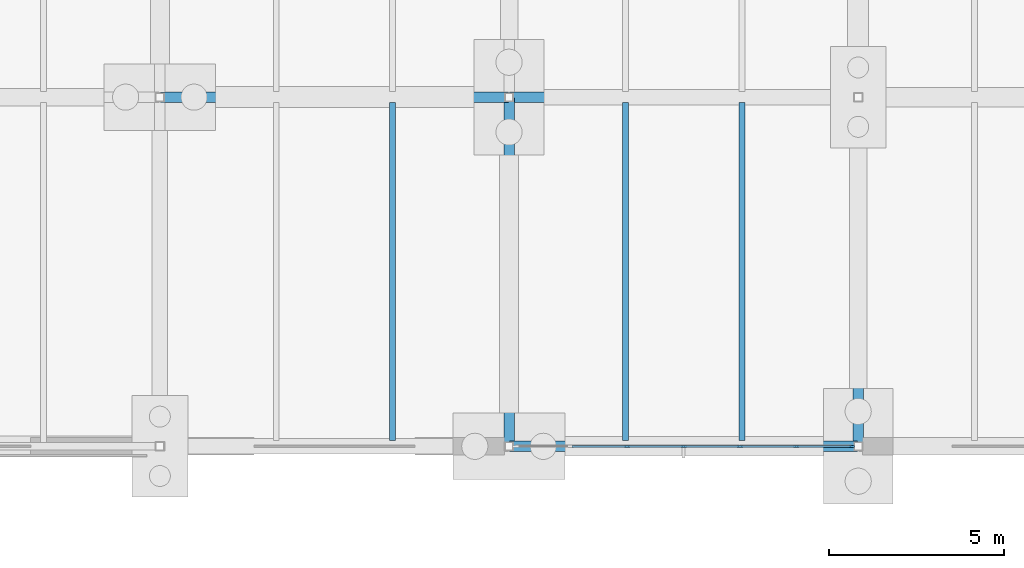
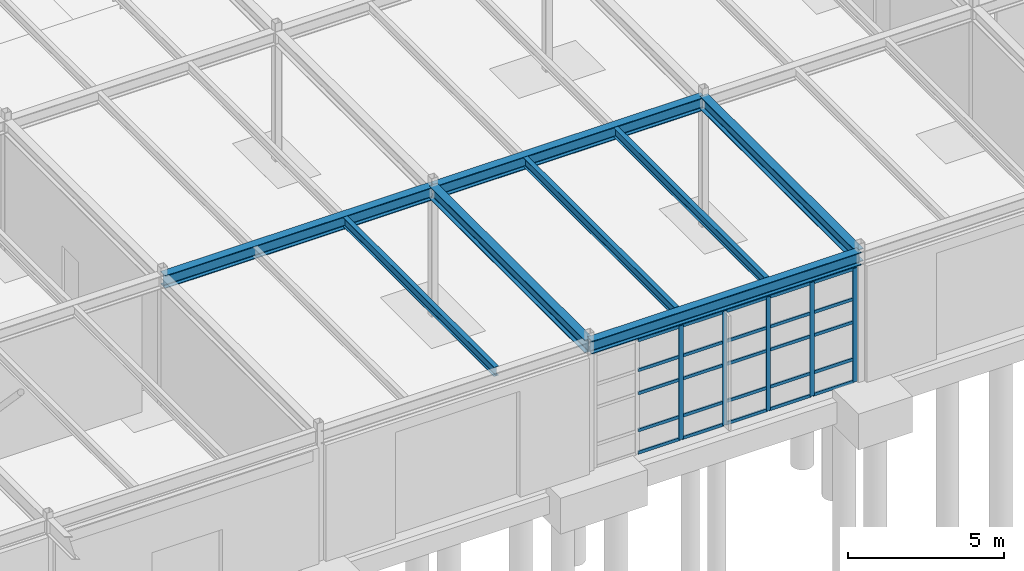
# One storey, part 43 of 145: 30 members, 8 beams, 1 element without a shape of its own.
"""IFC4 building model written with IfcOpenShell, lengths in metres."""

from ifc_helpers import new_model, si_unit, direction, frame, origin, origin_2d, place, context, subcontext, project, spatial, rectangle, i_section, extrude, material, layer, layer_set, material_profile, profile_set, type_object, element, aggregate, save


model = new_model("IFC4")

# Units and contexts
model_context = context("Model", 3, precision=1e-05, world=origin(), true_north=direction((0.0, 1.0)))
body_context = subcontext(model_context, "Body", "Model", "MODEL_VIEW")
ifc_project = project(units=[si_unit("LENGTHUNIT", "METRE"), si_unit("AREAUNIT", "SQUARE_METRE"), si_unit("VOLUMEUNIT", "CUBIC_METRE"), si_unit("PLANEANGLEUNIT", "RADIAN"), si_unit("MASSUNIT", "GRAM", prefix="KILO"), si_unit("THERMODYNAMICTEMPERATUREUNIT", "KELVIN"), si_unit("POWERUNIT", "WATT")], contexts=[model_context])

# Site, building, storey
site_placement = place(None, origin())
site = spatial("IfcSite", under=ifc_project, at=site_placement, CompositionType="ELEMENT")
building_placement = place(site_placement, origin())
building = spatial("IfcBuilding", under=site, at=building_placement, Name="Korenveer Ferry Terminal", CompositionType="ELEMENT")
storey_placement = place(building_placement, origin())
storey = spatial("IfcBuildingStorey", under=building, at=storey_placement, Name="L00", CompositionType="ELEMENT", Elevation=0.0)

# Curtain wall, members
ifc_material_1 = material(Name="Unitised bronze-and-glass curtain wall", Category="glass")
ifc_layer = layer(ifc_material_1, 0.159912109375)
ifc_layer_set = layer_set([ifc_layer], Name="Unitised bronze-and-glass curtain wall")
curtain_wall_type = type_object("IfcCurtainWallType", Name="ENV-CW-02", PredefinedType="USERDEFINED", material=ifc_layer_set)
curtain_wall_placement = place(storey_placement, frame((83.155029296875, 20.0, 0.0)))
curtain_wall = element("IfcCurtainWall", 1, at=curtain_wall_placement, inside=storey, type_object=curtain_wall_type, Name="Lancet curtain wall CWX-L00-X83-93-Y20-20", ObjectType="UNITISED CURTAIN WALL", PredefinedType="USERDEFINED")
ifc_material_2 = material(Name="Anodised bronze aluminium", Category="aluminium")
ifc_material_profile_1 = material_profile(ifc_material_2, rectangle(XDim=0.06005859375, YDim=0.159912109375, at=origin_2d()), Name="ALU 60x160")
ifc_profile_set_1 = profile_set([ifc_material_profile_1], Name="Anodised bronze aluminium")
member_type_1 = type_object("IfcMemberType", Name="ENV-CWM-60X160", PredefinedType="MULLION", material=ifc_profile_set_1)
member_1_placement = place(storey_placement, frame((86.385009765625, 20.0, 0.0), z_axis=(0.0, 0.0, 1.0), x_axis=(0.0, 1.0, 0.0)))
member_1 = element("IfcMember", 2, at=member_1_placement, type_object=member_type_1, Name="CW-02 mullion 3", PredefinedType="MULLION", context=body_context, shape_type="SweptSolid", body=[
    extrude(rectangle(XDim=0.06005859375, YDim=0.159912109375, at=origin_2d()), origin(), (0.0, 0.0, 1.0), 4.449951171875),
])
member_2_placement = place(storey_placement, frame((88.0, 20.0, 0.0), z_axis=(0.0, 0.0, 1.0), x_axis=(0.0, 1.0, 0.0)))
member_2 = element("IfcMember", 3, at=member_2_placement, type_object=member_type_1, Name="CW-02 mullion 4", PredefinedType="MULLION", context=body_context, shape_type="SweptSolid", body=[
    extrude(rectangle(XDim=0.06005859375, YDim=0.159912109375, at=origin_2d()), origin(), (0.0, 0.0, 1.0), 4.449951171875),
])
member_3_placement = place(storey_placement, frame((89.614990234375, 20.0, 0.0), z_axis=(0.0, 0.0, 1.0), x_axis=(0.0, 1.0, 0.0)))
member_3 = element("IfcMember", 4, at=member_3_placement, type_object=member_type_1, Name="CW-02 mullion 5", PredefinedType="MULLION", context=body_context, shape_type="SweptSolid", body=[
    extrude(rectangle(XDim=0.06005859375, YDim=0.159912109375, at=origin_2d()), origin(), (0.0, 0.0, 1.0), 4.449951171875),
])
member_4_placement = place(storey_placement, frame((91.22998046875, 20.0, 0.0), z_axis=(0.0, 0.0, 1.0), x_axis=(0.0, 1.0, 0.0)))
member_4 = element("IfcMember", 5, at=member_4_placement, type_object=member_type_1, Name="CW-02 mullion 6", PredefinedType="MULLION", context=body_context, shape_type="SweptSolid", body=[
    extrude(rectangle(XDim=0.06005859375, YDim=0.159912109375, at=origin_2d()), origin(), (0.0, 0.0, 1.0), 4.449951171875),
])
member_5_placement = place(storey_placement, frame((92.81494140625, 20.0, 0.0), z_axis=(0.0, 0.0, 1.0), x_axis=(0.0, 1.0, 0.0)))
member_5 = element("IfcMember", 6, at=member_5_placement, type_object=member_type_1, Name="CW-02 mullion 7", PredefinedType="MULLION", context=body_context, shape_type="SweptSolid", body=[
    extrude(rectangle(XDim=0.06005859375, YDim=0.159912109375, at=origin_2d()), origin(), (0.0, 0.0, 1.0), 4.449951171875),
])
ifc_material_profile_2 = material_profile(ifc_material_2, rectangle(XDim=0.06005859375, YDim=0.1201171875, at=origin_2d()), Name="ALU 60x120")
ifc_profile_set_2 = profile_set([ifc_material_profile_2], Name="Anodised bronze aluminium")
member_type_2 = type_object("IfcMemberType", Name="ENV-CWT-60X120", PredefinedType="USERDEFINED", material=ifc_profile_set_2)
member_6_placement = place(storey_placement, frame((84.800048828125, 20.0, 0.030029296875), z_axis=(1.0, 0.0, 0.0), x_axis=(0.0, 1.0, 0.0)))
member_6 = element("IfcMember", 7, at=member_6_placement, type_object=member_type_2, Name="CW-02 transom 2.1", ObjectType="TRANSOM", PredefinedType="USERDEFINED", context=body_context, shape_type="SweptSolid", body=[
    extrude(rectangle(XDim=0.06005859375, YDim=0.1201171875, at=origin_2d()), origin(), (0.0, 0.0, 1.0), 1.554931640625),
])
member_7_placement = place(storey_placement, frame((84.800048828125, 20.0, 0.89990234375), z_axis=(1.0, 0.0, 0.0), x_axis=(0.0, 1.0, 0.0)))
member_7 = element("IfcMember", 8, at=member_7_placement, type_object=member_type_2, Name="CW-02 transom 2.2", ObjectType="TRANSOM", PredefinedType="USERDEFINED", context=body_context, shape_type="SweptSolid", body=[
    extrude(rectangle(XDim=0.06005859375, YDim=0.1201171875, at=origin_2d()), origin(), (0.0, 0.0, 1.0), 1.554931640625),
])
member_8_placement = place(storey_placement, frame((84.800048828125, 20.0, 2.35009765625), z_axis=(1.0, 0.0, 0.0), x_axis=(0.0, 1.0, 0.0)))
member_8 = element("IfcMember", 9, at=member_8_placement, type_object=member_type_2, Name="CW-02 transom 2.3", ObjectType="TRANSOM", PredefinedType="USERDEFINED", context=body_context, shape_type="SweptSolid", body=[
    extrude(rectangle(XDim=0.06005859375, YDim=0.1201171875, at=origin_2d()), origin(), (0.0, 0.0, 1.0), 1.554931640625),
])
member_9_placement = place(storey_placement, frame((84.800048828125, 20.0, 3.25), z_axis=(1.0, 0.0, 0.0), x_axis=(0.0, 1.0, 0.0)))
member_9 = element("IfcMember", 10, at=member_9_placement, type_object=member_type_2, Name="CW-02 transom 2.4", ObjectType="TRANSOM", PredefinedType="USERDEFINED", context=body_context, shape_type="SweptSolid", body=[
    extrude(rectangle(XDim=0.06005859375, YDim=0.1201171875, at=origin_2d()), origin(), (0.0, 0.0, 1.0), 1.554931640625),
])
member_10_placement = place(storey_placement, frame((84.800048828125, 20.0, 4.419921875), z_axis=(1.0, 0.0, 0.0), x_axis=(0.0, 1.0, 0.0)))
member_10 = element("IfcMember", 11, at=member_10_placement, type_object=member_type_2, Name="CW-02 transom 2.5", ObjectType="TRANSOM", PredefinedType="USERDEFINED", context=body_context, shape_type="SweptSolid", body=[
    extrude(rectangle(XDim=0.06005859375, YDim=0.1201171875, at=origin_2d()), origin(), (0.0, 0.0, 1.0), 1.554931640625),
])
member_11_placement = place(storey_placement, frame((86.4150390625, 20.0, 0.030029296875), z_axis=(1.0, 0.0, 0.0), x_axis=(0.0, 1.0, 0.0)))
member_11 = element("IfcMember", 12, at=member_11_placement, type_object=member_type_2, Name="CW-02 transom 3.1", ObjectType="TRANSOM", PredefinedType="USERDEFINED", context=body_context, shape_type="SweptSolid", body=[
    extrude(rectangle(XDim=0.06005859375, YDim=0.1201171875, at=origin_2d()), origin(), (0.0, 0.0, 1.0), 1.554931640625),
])
member_12_placement = place(storey_placement, frame((86.4150390625, 20.0, 0.89990234375), z_axis=(1.0, 0.0, 0.0), x_axis=(0.0, 1.0, 0.0)))
member_12 = element("IfcMember", 13, at=member_12_placement, type_object=member_type_2, Name="CW-02 transom 3.2", ObjectType="TRANSOM", PredefinedType="USERDEFINED", context=body_context, shape_type="SweptSolid", body=[
    extrude(rectangle(XDim=0.06005859375, YDim=0.1201171875, at=origin_2d()), origin(), (0.0, 0.0, 1.0), 1.554931640625),
])
member_13_placement = place(storey_placement, frame((86.4150390625, 20.0, 2.35009765625), z_axis=(1.0, 0.0, 0.0), x_axis=(0.0, 1.0, 0.0)))
member_13 = element("IfcMember", 14, at=member_13_placement, type_object=member_type_2, Name="CW-02 transom 3.3", ObjectType="TRANSOM", PredefinedType="USERDEFINED", context=body_context, shape_type="SweptSolid", body=[
    extrude(rectangle(XDim=0.06005859375, YDim=0.1201171875, at=origin_2d()), origin(), (0.0, 0.0, 1.0), 1.554931640625),
])
member_14_placement = place(storey_placement, frame((86.4150390625, 20.0, 3.25), z_axis=(1.0, 0.0, 0.0), x_axis=(0.0, 1.0, 0.0)))
member_14 = element("IfcMember", 15, at=member_14_placement, type_object=member_type_2, Name="CW-02 transom 3.4", ObjectType="TRANSOM", PredefinedType="USERDEFINED", context=body_context, shape_type="SweptSolid", body=[
    extrude(rectangle(XDim=0.06005859375, YDim=0.1201171875, at=origin_2d()), origin(), (0.0, 0.0, 1.0), 1.554931640625),
])
member_15_placement = place(storey_placement, frame((86.4150390625, 20.0, 4.419921875), z_axis=(1.0, 0.0, 0.0), x_axis=(0.0, 1.0, 0.0)))
member_15 = element("IfcMember", 16, at=member_15_placement, type_object=member_type_2, Name="CW-02 transom 3.5", ObjectType="TRANSOM", PredefinedType="USERDEFINED", context=body_context, shape_type="SweptSolid", body=[
    extrude(rectangle(XDim=0.06005859375, YDim=0.1201171875, at=origin_2d()), origin(), (0.0, 0.0, 1.0), 1.554931640625),
])
member_16_placement = place(storey_placement, frame((88.030029296875, 20.0, 0.030029296875), z_axis=(1.0, 0.0, 0.0), x_axis=(0.0, 1.0, 0.0)))
member_16 = element("IfcMember", 17, at=member_16_placement, type_object=member_type_2, Name="CW-02 transom 4.1", ObjectType="TRANSOM", PredefinedType="USERDEFINED", context=body_context, shape_type="SweptSolid", body=[
    extrude(rectangle(XDim=0.06005859375, YDim=0.1201171875, at=origin_2d()), origin(), (0.0, 0.0, 1.0), 1.554931640625),
])
member_17_placement = place(storey_placement, frame((88.030029296875, 20.0, 0.89990234375), z_axis=(1.0, 0.0, 0.0), x_axis=(0.0, 1.0, 0.0)))
member_17 = element("IfcMember", 18, at=member_17_placement, type_object=member_type_2, Name="CW-02 transom 4.2", ObjectType="TRANSOM", PredefinedType="USERDEFINED", context=body_context, shape_type="SweptSolid", body=[
    extrude(rectangle(XDim=0.06005859375, YDim=0.1201171875, at=origin_2d()), origin(), (0.0, 0.0, 1.0), 1.554931640625),
])
member_18_placement = place(storey_placement, frame((88.030029296875, 20.0, 2.35009765625), z_axis=(1.0, 0.0, 0.0), x_axis=(0.0, 1.0, 0.0)))
member_18 = element("IfcMember", 19, at=member_18_placement, type_object=member_type_2, Name="CW-02 transom 4.3", ObjectType="TRANSOM", PredefinedType="USERDEFINED", context=body_context, shape_type="SweptSolid", body=[
    extrude(rectangle(XDim=0.06005859375, YDim=0.1201171875, at=origin_2d()), origin(), (0.0, 0.0, 1.0), 1.554931640625),
])
member_19_placement = place(storey_placement, frame((88.030029296875, 20.0, 3.25), z_axis=(1.0, 0.0, 0.0), x_axis=(0.0, 1.0, 0.0)))
member_19 = element("IfcMember", 20, at=member_19_placement, type_object=member_type_2, Name="CW-02 transom 4.4", ObjectType="TRANSOM", PredefinedType="USERDEFINED", context=body_context, shape_type="SweptSolid", body=[
    extrude(rectangle(XDim=0.06005859375, YDim=0.1201171875, at=origin_2d()), origin(), (0.0, 0.0, 1.0), 1.554931640625),
])
member_20_placement = place(storey_placement, frame((88.030029296875, 20.0, 4.419921875), z_axis=(1.0, 0.0, 0.0), x_axis=(0.0, 1.0, 0.0)))
member_20 = element("IfcMember", 21, at=member_20_placement, type_object=member_type_2, Name="CW-02 transom 4.5", ObjectType="TRANSOM", PredefinedType="USERDEFINED", context=body_context, shape_type="SweptSolid", body=[
    extrude(rectangle(XDim=0.06005859375, YDim=0.1201171875, at=origin_2d()), origin(), (0.0, 0.0, 1.0), 1.554931640625),
])
member_21_placement = place(storey_placement, frame((89.64501953125, 20.0, 0.030029296875), z_axis=(1.0, 0.0, 0.0), x_axis=(0.0, 1.0, 0.0)))
member_21 = element("IfcMember", 22, at=member_21_placement, type_object=member_type_2, Name="CW-02 transom 5.1", ObjectType="TRANSOM", PredefinedType="USERDEFINED", context=body_context, shape_type="SweptSolid", body=[
    extrude(rectangle(XDim=0.06005859375, YDim=0.1201171875, at=origin_2d()), origin(), (0.0, 0.0, 1.0), 1.554931640625),
])
member_22_placement = place(storey_placement, frame((89.64501953125, 20.0, 0.89990234375), z_axis=(1.0, 0.0, 0.0), x_axis=(0.0, 1.0, 0.0)))
member_22 = element("IfcMember", 23, at=member_22_placement, type_object=member_type_2, Name="CW-02 transom 5.2", ObjectType="TRANSOM", PredefinedType="USERDEFINED", context=body_context, shape_type="SweptSolid", body=[
    extrude(rectangle(XDim=0.06005859375, YDim=0.1201171875, at=origin_2d()), origin(), (0.0, 0.0, 1.0), 1.554931640625),
])
member_23_placement = place(storey_placement, frame((89.64501953125, 20.0, 2.35009765625), z_axis=(1.0, 0.0, 0.0), x_axis=(0.0, 1.0, 0.0)))
member_23 = element("IfcMember", 24, at=member_23_placement, type_object=member_type_2, Name="CW-02 transom 5.3", ObjectType="TRANSOM", PredefinedType="USERDEFINED", context=body_context, shape_type="SweptSolid", body=[
    extrude(rectangle(XDim=0.06005859375, YDim=0.1201171875, at=origin_2d()), origin(), (0.0, 0.0, 1.0), 1.554931640625),
])
member_24_placement = place(storey_placement, frame((89.64501953125, 20.0, 3.25), z_axis=(1.0, 0.0, 0.0), x_axis=(0.0, 1.0, 0.0)))
member_24 = element("IfcMember", 25, at=member_24_placement, type_object=member_type_2, Name="CW-02 transom 5.4", ObjectType="TRANSOM", PredefinedType="USERDEFINED", context=body_context, shape_type="SweptSolid", body=[
    extrude(rectangle(XDim=0.06005859375, YDim=0.1201171875, at=origin_2d()), origin(), (0.0, 0.0, 1.0), 1.554931640625),
])
member_25_placement = place(storey_placement, frame((89.64501953125, 20.0, 4.419921875), z_axis=(1.0, 0.0, 0.0), x_axis=(0.0, 1.0, 0.0)))
member_25 = element("IfcMember", 26, at=member_25_placement, type_object=member_type_2, Name="CW-02 transom 5.5", ObjectType="TRANSOM", PredefinedType="USERDEFINED", context=body_context, shape_type="SweptSolid", body=[
    extrude(rectangle(XDim=0.06005859375, YDim=0.1201171875, at=origin_2d()), origin(), (0.0, 0.0, 1.0), 1.554931640625),
])
member_26_placement = place(storey_placement, frame((91.260009765625, 20.0, 0.030029296875), z_axis=(1.0, 0.0, 0.0), x_axis=(0.0, 1.0, 0.0)))
member_26 = element("IfcMember", 27, at=member_26_placement, type_object=member_type_2, Name="CW-02 transom 6.1", ObjectType="TRANSOM", PredefinedType="USERDEFINED", context=body_context, shape_type="SweptSolid", body=[
    extrude(rectangle(XDim=0.06005859375, YDim=0.1201171875, at=origin_2d()), origin(), (0.0, 0.0, 1.0), 1.52490234375),
])
member_27_placement = place(storey_placement, frame((91.260009765625, 20.0, 0.89990234375), z_axis=(1.0, 0.0, 0.0), x_axis=(0.0, 1.0, 0.0)))
member_27 = element("IfcMember", 28, at=member_27_placement, type_object=member_type_2, Name="CW-02 transom 6.2", ObjectType="TRANSOM", PredefinedType="USERDEFINED", context=body_context, shape_type="SweptSolid", body=[
    extrude(rectangle(XDim=0.06005859375, YDim=0.1201171875, at=origin_2d()), origin(), (0.0, 0.0, 1.0), 1.52490234375),
])
member_28_placement = place(storey_placement, frame((91.260009765625, 20.0, 2.35009765625), z_axis=(1.0, 0.0, 0.0), x_axis=(0.0, 1.0, 0.0)))
member_28 = element("IfcMember", 29, at=member_28_placement, type_object=member_type_2, Name="CW-02 transom 6.3", ObjectType="TRANSOM", PredefinedType="USERDEFINED", context=body_context, shape_type="SweptSolid", body=[
    extrude(rectangle(XDim=0.06005859375, YDim=0.1201171875, at=origin_2d()), origin(), (0.0, 0.0, 1.0), 1.52490234375),
])
member_29_placement = place(storey_placement, frame((91.260009765625, 20.0, 3.25), z_axis=(1.0, 0.0, 0.0), x_axis=(0.0, 1.0, 0.0)))
member_29 = element("IfcMember", 30, at=member_29_placement, type_object=member_type_2, Name="CW-02 transom 6.4", ObjectType="TRANSOM", PredefinedType="USERDEFINED", context=body_context, shape_type="SweptSolid", body=[
    extrude(rectangle(XDim=0.06005859375, YDim=0.1201171875, at=origin_2d()), origin(), (0.0, 0.0, 1.0), 1.52490234375),
])
member_30_placement = place(storey_placement, frame((91.260009765625, 20.0, 4.419921875), z_axis=(1.0, 0.0, 0.0), x_axis=(0.0, 1.0, 0.0)))
member_30 = element("IfcMember", 31, at=member_30_placement, type_object=member_type_2, Name="CW-02 transom 6.5", ObjectType="TRANSOM", PredefinedType="USERDEFINED", context=body_context, shape_type="SweptSolid", body=[
    extrude(rectangle(XDim=0.06005859375, YDim=0.1201171875, at=origin_2d()), origin(), (0.0, 0.0, 1.0), 1.52490234375),
])
aggregate(curtain_wall, [member_1, member_2, member_3, member_4, member_5, member_6, member_7, member_8, member_9, member_10, member_11, member_12, member_13, member_14, member_15, member_16, member_17, member_18, member_19, member_20, member_21, member_22, member_23, member_24, member_25, member_26, member_27, member_28, member_29, member_30])

# Beams
ifc_material_3 = material(Name="Steel S355", Category="steel")
ifc_material_profile_3 = material_profile(ifc_material_3, i_section(OverallWidth=0.300048828125, OverallDepth=0.5, WebThickness=0.014404296875, FlangeThickness=0.028076171875, FilletRadius=0.027099609375, at=origin_2d()), Name="HEB 500")
ifc_profile_set_3 = profile_set([ifc_material_profile_3], Name="Steel S355")
beam_type_1 = type_object("IfcBeamType", Name="STR-BM-HEB500", PredefinedType="BEAM", material=ifc_profile_set_3)
for number, where, z_axis, x_axis, name in (
    (32, (83.02001953125, 20.0, 4.830078125), (1.0, 0.0, 0.0), (0.0, 1.0, 0.0), "Primary X girder BMX-L01-X83-93-Y20"),
    (33, (73.02001953125, 30.0, 4.830078125), (1.0, 0.0, 0.0), (0.0, 1.0, 0.0), "Primary X girder BMX-L01-X73-83-Y30"),
    (34, (83.02001953125, 30.0, 4.830078125), (1.0, 0.0, 0.0), (0.0, 1.0, 0.0), "Primary X girder BMX-L01-X83-93-Y30"),
    (35, (83.0, 20.02001953125, 4.830078125), (0.0, 1.0, 0.0), (-1.0, 0.0, 0.0), "Primary Y girder BMY-L01-X83-Y20-30"),
    (36, (93.0, 20.02001953125, 4.830078125), (0.0, 1.0, 0.0), (-1.0, 0.0, 0.0), "Primary Y girder BMY-L01-X93-Y20-30"),
):
    element("IfcBeam", number, at=place(storey_placement, frame(where, z_axis=z_axis, x_axis=x_axis)), inside=storey, type_object=beam_type_1, Name=name, PredefinedType="BEAM", context=body_context, shape_type="SweptSolid", body=[
        extrude(i_section(OverallWidth=0.300048828125, OverallDepth=0.5, WebThickness=0.014404296875, FlangeThickness=0.028076171875, FilletRadius=0.027099609375, at=origin_2d()), origin(), (0.0, 0.0, 1.0), 9.9599609375),
    ])
ifc_material_profile_4 = material_profile(ifc_material_3, i_section(OverallWidth=0.169921875, OverallDepth=0.360107421875, WebThickness=0.008056640625, FlangeThickness=0.0126953125, FilletRadius=0.01806640625, at=origin_2d()), Name="IPE 360")
ifc_profile_set_4 = profile_set([ifc_material_profile_4], Name="Steel S355")
beam_type_2 = type_object("IfcBeamType", Name="STR-JST-IPE360", PredefinedType="JOIST", material=ifc_profile_set_4)
for number, where, z_axis, x_axis, name in (
    (37, (79.666748046875, 20.159912109375, 4.89990234375), (0.0, 1.0, 0.0), (-1.0, 0.0, 0.0), "Secondary composite joist JST-L01-X797-Y20-30"),
    (38, (86.333251953125, 20.159912109375, 4.89990234375), (0.0, 1.0, 0.0), (-1.0, 0.0, 0.0), "Secondary composite joist JST-L01-X863-Y20-30"),
    (39, (89.666748046875, 20.159912109375, 4.89990234375), (0.0, 1.0, 0.0), (-1.0, 0.0, 0.0), "Secondary composite joist JST-L01-X897-Y20-30"),
):
    element("IfcBeam", number, at=place(storey_placement, frame(where, z_axis=z_axis, x_axis=x_axis)), inside=storey, type_object=beam_type_2, Name=name, PredefinedType="JOIST", context=body_context, shape_type="SweptSolid", body=[
        extrude(i_section(OverallWidth=0.169921875, OverallDepth=0.360107421875, WebThickness=0.008056640625, FlangeThickness=0.0126953125, FilletRadius=0.01806640625, at=origin_2d()), origin(), (0.0, 0.0, 1.0), 9.68017578125),
    ])

save(model, "model.ifc")
